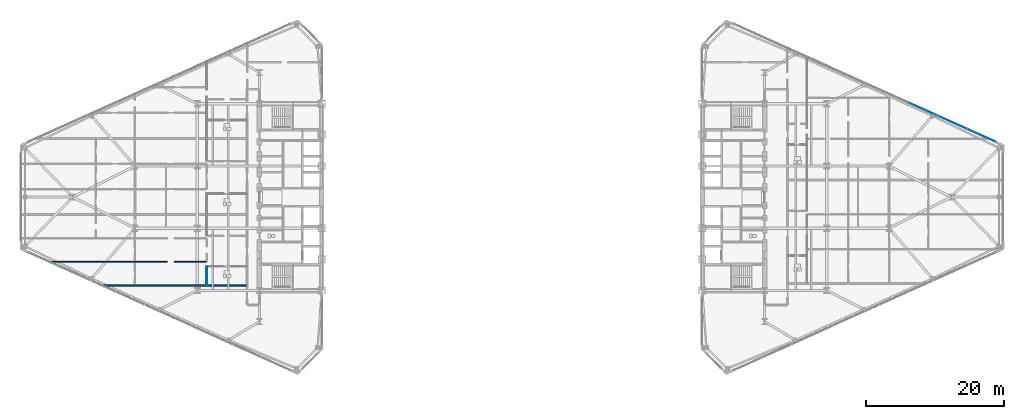
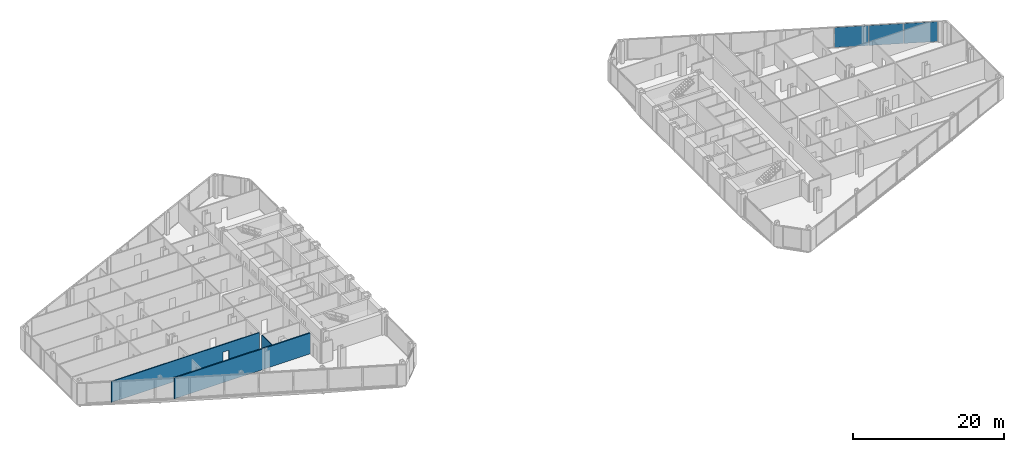
# One storey, part 18 of 27: 3 plates, 3 walls, 1 opening, 1 element without a shape of its own.
"""IFC4 building model written with IfcOpenShell, lengths in metres."""

from ifc_helpers import new_model, si_unit, direction, frame, frame_2d, origin, origin_2d, place, context, subcontext, project, spatial, rectangle, extrude, source, transform, mapped, material, layer, layer_set, type_object, type_shapes, element, aggregate, save


model = new_model("IFC4")

# Units and contexts
model_context = context("Model", 3, precision=1e-05, world=origin(), true_north=direction((0.0, 1.0)))
body_context = subcontext(model_context, "Body", "Model", "MODEL_VIEW")
ifc_project = project(units=[si_unit("LENGTHUNIT", "METRE"), si_unit("AREAUNIT", "SQUARE_METRE"), si_unit("VOLUMEUNIT", "CUBIC_METRE"), si_unit("PLANEANGLEUNIT", "RADIAN"), si_unit("MASSUNIT", "GRAM", prefix="KILO")], contexts=[model_context])

# Site, building, storey
site_placement = place(None, origin())
site = spatial("IfcSite", under=ifc_project, at=site_placement, CompositionType="ELEMENT")
building_placement = place(site_placement, origin())
building = spatial("IfcBuilding", under=site, at=building_placement, Name="Seokmaru Belvedere", CompositionType="ELEMENT")
storey_placement = place(building_placement, frame((0.0, 0.0, 99.60009765625)))
storey = spatial("IfcBuildingStorey", under=building, at=storey_placement, Name="L26", CompositionType="ELEMENT", Elevation=99.60009765625)

# Curtain wall, plates
ifc_material_1 = material(Name="Bronze Triple Insulating Glass", Category="glass")
ifc_layer_1 = layer(ifc_material_1, 0.195068359375)
ifc_layer_set_1 = layer_set([ifc_layer_1], Name="Bronze Triple Insulating Glass")
curtain_wall_type = type_object("IfcCurtainWallType", Name="Lower-Mid Tapered Curtain Wall System CW-3", PredefinedType="NOTDEFINED", material=ifc_layer_set_1)
curtain_wall_placement = place(storey_placement, origin())
curtain_wall = element("IfcCurtainWall", 1, at=curtain_wall_placement, inside=storey, type_object=curtain_wall_type, Name="L26 Curtain Wall EF3", PredefinedType="NOTDEFINED")
ifc_layer_2 = layer(ifc_material_1, 0.035888671875)
ifc_layer_set_2 = layer_set([ifc_layer_2], Name="Bronze Triple Insulating Glass")
plate_type = type_object("IfcPlateType", Name="Bronze Triple Vision Glazing Panel 36", PredefinedType="CURTAIN_PANEL", material=ifc_layer_set_2)
shared_shape_1 = source(origin(), body_context, "Body", "SweptSolid", [
    extrude(rectangle(XDim=4.51318359375, YDim=0.035888671875, at=origin_2d()), origin(), (0.0, 0.0, 1.0), 3.239990234375),
])
plate_1_placement = place(storey_placement, frame((67.82958984375, 8.926513671875, 0.06982421875), z_axis=(0.0, 0.0, 1.0), x_axis=(-0.91192111353, 0.41036554765, 0.0)))
plate_1 = element("IfcPlate", 2, at=plate_1_placement, type_object=plate_type, Name="CW:L26:EF3 Glazing Panel 1-1", PredefinedType="CURTAIN_PANEL", context=body_context, shape_type="MappedRepresentation", body=[
    mapped(shared_shape_1, transform((0.0, 0.0, 0.0), scale=1.0)),
])
shared_shape_2 = source(origin(), body_context, "Body", "SweptSolid", [
    extrude(rectangle(XDim=4.548095703125, YDim=0.035888671875, at=origin_2d()), origin(), (0.0, 0.0, 1.0), 3.239990234375),
])
type_shapes(plate_type, [shared_shape_1, shared_shape_2])
plate_2_placement = place(storey_placement, frame((63.63427734375, 10.814697265625, 0.06982421875), z_axis=(0.0, 0.0, 1.0), x_axis=(-0.91192111353, 0.41036554765, 0.0)))
plate_2 = element("IfcPlate", 3, at=plate_2_placement, type_object=plate_type, Name="CW:L26:EF3 Glazing Panel 2-1", PredefinedType="CURTAIN_PANEL", context=body_context, shape_type="MappedRepresentation", body=[
    mapped(shared_shape_2, transform((0.0, 0.0, 0.0), scale=1.0)),
])
plate_3_placement = place(storey_placement, frame((59.4228515625, 12.709716796875, 0.06982421875), z_axis=(0.0, 0.0, 1.0), x_axis=(-0.91192111353, 0.41036554765, 0.0)))
plate_3 = element("IfcPlate", 4, at=plate_3_placement, type_object=plate_type, Name="CW:L26:EF3 Glazing Panel 3-1", PredefinedType="CURTAIN_PANEL", context=body_context, shape_type="MappedRepresentation", body=[
    mapped(shared_shape_2, transform((0.0, 0.0, 0.0), scale=1.0)),
])
aggregate(curtain_wall, [plate_1, plate_2, plate_3])

# Wall, opening
ifc_material_2 = material(Name="Fire-Rated Gypsum Shaftwall")
ifc_layer_3 = layer(ifc_material_2, 0.14990234375)
ifc_layer_set_3 = layer_set([ifc_layer_3], Name="Fire-Rated Gypsum Shaftwall")
wall_type_1 = type_object("IfcWallType", Name="Apartment Fire-Acoustic Room Partition 150", PredefinedType="PARTITIONING", material=ifc_layer_set_3)
wall_1_placement = place(storey_placement, frame((-66.886962890625, -9.3701171875, 0.0), z_axis=(0.0, 0.0, 1.0), x_axis=(1.0, 0.0, 0.0)))
wall_1 = element("IfcWall", 5, at=wall_1_placement, inside=storey, type_object=wall_type_1, Name="L26 Interior Partition 006", PredefinedType="PARTITIONING", context=body_context, shape_type="SweptSolid", body=[
    extrude(rectangle(XDim=22.68701171875, YDim=0.14990234375, at=frame_2d((11.343505859375, 0.0))), origin(), (0.0, 0.0, 1.0), 3.3798828125),
])
opening_placement = place(wall_1_placement, frame((17.0869140625, 0.0, 0.0)))
element("IfcOpeningElement", 6, at=opening_placement, cuts=wall_1, Name="L26 Cased Opening 007", PredefinedType="OPENING", context=body_context, shape_type="SweptSolid", body=[
    extrude(rectangle(XDim=0.949951171875, YDim=2.14990234375, at=frame_2d((0.47509765625, 1.074951171875))), frame((0.0, 0.0849609375, 0.0), z_axis=(0.0, -1.0, 0.0), x_axis=(1.0, 0.0, 0.0)), (0.0, 0.0, 1.0), 0.169921875),
])

# Walls
ifc_layer_4 = layer(ifc_material_2, 0.199951171875)
ifc_layer_set_4 = layer_set([ifc_layer_4], Name="Fire-Rated Gypsum Shaftwall")
wall_type_2 = type_object("IfcWallType", Name="Inter-Tenancy Fire Compartment Partition 200", PredefinedType="PARTITIONING", material=ifc_layer_set_4)
wall_2_placement = place(storey_placement, frame((-59.23388671875, -12.800048828125, 0.0), z_axis=(0.0, 0.0, 1.0), x_axis=(1.0, 0.0, 0.0)))
element("IfcWall", 7, at=wall_2_placement, inside=storey, type_object=wall_type_2, Name="L26 Interior Partition 003", PredefinedType="PARTITIONING", context=body_context, shape_type="SweptSolid", body=[
    extrude(rectangle(XDim=20.85400390625, YDim=0.199951171875, at=frame_2d((10.427001953125, 0.0))), origin(), (0.0, 0.0, 1.0), 3.3798828125),
])
ifc_layer_5 = layer(ifc_material_2, 0.1298828125)
ifc_layer_set_5 = layer_set([ifc_layer_5], Name="Fire-Rated Gypsum Shaftwall")
wall_type_3 = type_object("IfcWallType", Name="Moisture-Resistant Fire-Rated Bathroom Partition 130", PredefinedType="PARTITIONING", material=ifc_layer_set_5)
wall_3_placement = place(storey_placement, frame((-44.14990234375, -12.75, 0.0), z_axis=(0.0, 0.0, 1.0), x_axis=(0.0, 1.0, 0.0)))
element("IfcWall", 8, at=wall_3_placement, inside=storey, type_object=wall_type_3, Name="L26 Interior Partition 034", PredefinedType="PARTITIONING", context=body_context, shape_type="SweptSolid", body=[
    extrude(rectangle(XDim=2.678955078125, YDim=0.1298828125, at=frame_2d((1.33935546875, 0.0))), origin(), (0.0, 0.0, 1.0), 3.3798828125),
])

save(model, "model.ifc")
